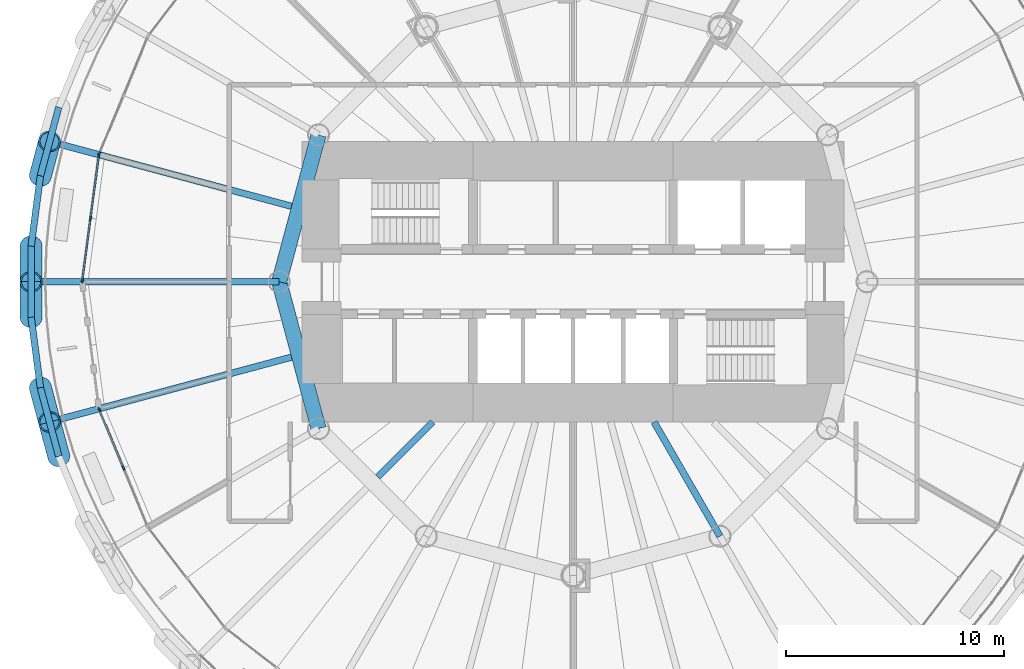
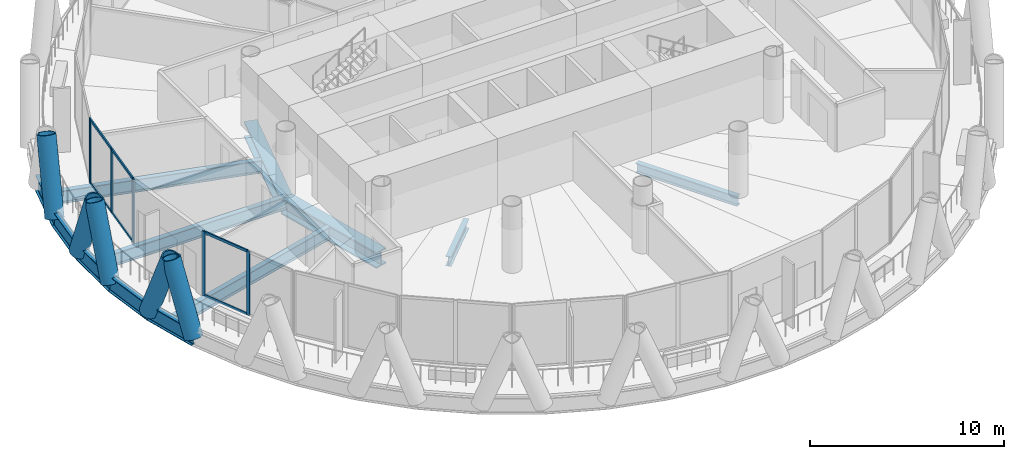
# One storey, part 3 of 16: 17 members, 12 beams, 3 elements without a shape of their own.
"""IFC4 building model written with IfcOpenShell, lengths in metres."""

from ifc_helpers import new_model, si_unit, direction, frame, origin, origin_2d, place, context, subcontext, project, spatial, rectangle, hollow_circle, i_section, extrude, material, material_profile, profile_set, type_object, element, aggregate, save


model = new_model("IFC4")

# Units and contexts
model_context = context("Model", 3, precision=1e-05, world=origin(), true_north=direction((0.0, 1.0)))
body_context = subcontext(model_context, "Body", "Model", "MODEL_VIEW")
ifc_project = project(units=[si_unit("LENGTHUNIT", "METRE"), si_unit("AREAUNIT", "SQUARE_METRE"), si_unit("VOLUMEUNIT", "CUBIC_METRE"), si_unit("PLANEANGLEUNIT", "RADIAN"), si_unit("MASSUNIT", "GRAM", prefix="KILO")], contexts=[model_context])

# Site, building, storey
site_placement = place(None, origin())
site = spatial("IfcSite", under=ifc_project, at=site_placement, CompositionType="ELEMENT")
building_placement = place(site_placement, origin())
building = spatial("IfcBuilding", under=site, at=building_placement, Name="Qaws Media Tower", CompositionType="ELEMENT")
storey_placement = place(building_placement, frame((0.0, 0.0, 139.39990234375)))
storey = spatial("IfcBuildingStorey", under=building, at=storey_placement, Name="L31", CompositionType="ELEMENT", Elevation=139.39990234375)

# Curtain wall, member
ifc_material_1 = material(Name="Aluminium and clear glass", Category="aluminium")
curtain_wall_type = type_object("IfcCurtainWallType", Name="Unitised curtain wall CW-B", PredefinedType="NOTDEFINED", material=ifc_material_1)
curtain_wall_1_placement = place(storey_placement, origin())
curtain_wall_1 = element("IfcCurtainWall", 1, at=curtain_wall_1_placement, inside=storey, type_object=curtain_wall_type, Name="CWB curtain wall L31-11", PredefinedType="NOTDEFINED")
ifc_material_2 = material(Name="Aluminium mullion", Category="aluminium")
ifc_material_profile_1 = material_profile(ifc_material_2, rectangle(XDim=0.080078125, YDim=0.199951171875, at=origin_2d()), Name="80x200")
ifc_profile_set_1 = profile_set([ifc_material_profile_1], Name="Aluminium mullion")
member_type_1 = type_object("IfcMemberType", Name="Curtain wall mullion 80x200", PredefinedType="MULLION", material=ifc_profile_set_1)
member_1_placement = place(storey_placement, frame((38.233642578125, 55.873291015625, 0.0), z_axis=(0.0, 0.0, 1.0), x_axis=(0.923879575812, -0.382683327828, 0.0)))
member_1 = element("IfcMember", 2, at=member_1_placement, type_object=member_type_1, Name="CWB mullion 3", PredefinedType="MULLION", context=body_context, shape_type="SweptSolid", body=[
    extrude(rectangle(XDim=0.080078125, YDim=0.199951171875, at=origin_2d()), origin(), (0.0, 0.0, 1.0), 4.0400390625),
])
aggregate(curtain_wall_1, [member_1])

# Curtain wall, members
curtain_wall_2_placement = place(storey_placement, origin())
curtain_wall_2 = element("IfcCurtainWall", 3, at=curtain_wall_2_placement, inside=storey, type_object=curtain_wall_type, Name="CWB curtain wall L31-12", PredefinedType="NOTDEFINED")
member_2_placement = place(storey_placement, frame((38.213134765625, 55.796630859375, 0.0), z_axis=(0.0, 0.0, 1.0), x_axis=(0.991444851608, -0.130526266402, 0.0)))
member_2 = element("IfcMember", 4, at=member_2_placement, type_object=member_type_1, Name="CWB mullion 1", PredefinedType="MULLION", context=body_context, shape_type="SweptSolid", body=[
    extrude(rectangle(XDim=0.080078125, YDim=0.199951171875, at=origin_2d()), origin(), (0.0, 0.0, 1.0), 4.0400390625),
])
member_3_placement = place(storey_placement, frame((37.834228515625, 52.918212890625, 0.0), z_axis=(0.0, 0.0, 1.0), x_axis=(0.991444851608, -0.130526266402, 0.0)))
member_3 = element("IfcMember", 5, at=member_3_placement, type_object=member_type_1, Name="CWB mullion 2", PredefinedType="MULLION", context=body_context, shape_type="SweptSolid", body=[
    extrude(rectangle(XDim=0.080078125, YDim=0.199951171875, at=origin_2d()), origin(), (0.0, 0.0, 1.0), 4.0400390625),
])
member_4_placement = place(storey_placement, frame((37.455322265625, 50.03955078125, 0.0), z_axis=(0.0, 0.0, 1.0), x_axis=(0.991444851608, -0.130526266402, 0.0)))
member_4 = element("IfcMember", 6, at=member_4_placement, type_object=member_type_1, Name="CWB mullion 3", PredefinedType="MULLION", context=body_context, shape_type="SweptSolid", body=[
    extrude(rectangle(XDim=0.080078125, YDim=0.199951171875, at=origin_2d()), origin(), (0.0, 0.0, 1.0), 4.0400390625),
])

curtain_wall_3_placement = place(storey_placement, origin())
curtain_wall_3 = element("IfcCurtainWall", 7, at=curtain_wall_3_placement, inside=storey, type_object=curtain_wall_type, Name="CWB curtain wall L31-14", PredefinedType="NOTDEFINED")
member_5_placement = place(storey_placement, frame((38.233642578125, 44.126708984375, 0.0), z_axis=(0.0, 0.0, 1.0), x_axis=(0.923879575812, 0.382683327828, 0.0)))
member_5 = element("IfcMember", 8, at=member_5_placement, type_object=member_type_1, Name="CWB mullion 1", PredefinedType="MULLION", context=body_context, shape_type="SweptSolid", body=[
    extrude(rectangle(XDim=0.080078125, YDim=0.199951171875, at=origin_2d()), origin(), (0.0, 0.0, 1.0), 4.0400390625),
])
member_6_placement = place(storey_placement, frame((39.3447265625, 41.4443359375, 0.0), z_axis=(0.0, 0.0, 1.0), x_axis=(0.923879575812, 0.382683327828, 0.0)))
member_6 = element("IfcMember", 9, at=member_6_placement, type_object=member_type_1, Name="CWB mullion 2", PredefinedType="MULLION", context=body_context, shape_type="SweptSolid", body=[
    extrude(rectangle(XDim=0.080078125, YDim=0.199951171875, at=origin_2d()), origin(), (0.0, 0.0, 1.0), 4.0400390625),
])

# Member
ifc_material_3 = material(Name="Aluminium transom", Category="aluminium")
ifc_material_profile_2 = material_profile(ifc_material_3, rectangle(XDim=0.080078125, YDim=0.159912109375, at=origin_2d()), Name="80x160")
ifc_profile_set_2 = profile_set([ifc_material_profile_2], Name="Aluminium transom")
member_type_2 = type_object("IfcMemberType", Name="Curtain wall transom 80x160", PredefinedType="USERDEFINED", material=ifc_profile_set_2)
member_7_placement = place(storey_placement, frame((38.2080078125, 55.757080078125, 0.0400390625), z_axis=(-0.130566348898, -0.991439573819, 0.0), x_axis=(0.991439573819, -0.130566348898, 0.0)))
member_7 = element("IfcMember", 10, at=member_7_placement, type_object=member_type_2, Name="CWB transom 1.1", ObjectType="TRANSOM", PredefinedType="USERDEFINED", context=body_context, shape_type="SweptSolid", body=[
    extrude(rectangle(XDim=0.080078125, YDim=0.159912109375, at=origin_2d()), origin(), (0.0, 0.0, 1.0), 2.823486328125),
])

member_8_placement = place(storey_placement, frame((38.2080078125, 55.757080078125, 4.0), z_axis=(-0.130566348898, -0.991439573819, 0.0), x_axis=(0.991439573819, -0.130566348898, 0.0)))
member_8 = element("IfcMember", 11, at=member_8_placement, type_object=member_type_2, Name="CWB transom 1.2", ObjectType="TRANSOM", PredefinedType="USERDEFINED", context=body_context, shape_type="SweptSolid", body=[
    extrude(rectangle(XDim=0.080078125, YDim=0.159912109375, at=origin_2d()), origin(), (0.0, 0.0, 1.0), 2.823486328125),
])

member_9_placement = place(storey_placement, frame((37.828857421875, 52.87841796875, 0.0400390625), z_axis=(-0.130492540798, -0.991449291087, 0.0), x_axis=(0.991449291087, -0.130492540798, 0.0)))
member_9 = element("IfcMember", 12, at=member_9_placement, type_object=member_type_2, Name="CWB transom 2.1", ObjectType="TRANSOM", PredefinedType="USERDEFINED", context=body_context, shape_type="SweptSolid", body=[
    extrude(rectangle(XDim=0.080078125, YDim=0.159912109375, at=origin_2d()), origin(), (0.0, 0.0, 1.0), 2.8232421875),
])

member_10_placement = place(storey_placement, frame((37.828857421875, 52.87841796875, 4.0), z_axis=(-0.130492540798, -0.991449291087, 0.0), x_axis=(0.991449291087, -0.130492540798, 0.0)))
member_10 = element("IfcMember", 13, at=member_10_placement, type_object=member_type_2, Name="CWB transom 2.2", ObjectType="TRANSOM", PredefinedType="USERDEFINED", context=body_context, shape_type="SweptSolid", body=[
    extrude(rectangle(XDim=0.080078125, YDim=0.159912109375, at=origin_2d()), origin(), (0.0, 0.0, 1.0), 2.8232421875),
])

aggregate(curtain_wall_2, [member_2, member_3, member_4, member_7, member_8, member_9, member_10])

member_11_placement = place(storey_placement, frame((38.2490234375, 44.089599609375, 0.0400390625), z_axis=(0.382649648969, -0.923893525329, 0.0), x_axis=(0.923893525329, 0.382649648969, 0.0)))
member_11 = element("IfcMember", 14, at=member_11_placement, type_object=member_type_2, Name="CWB transom 1.1", ObjectType="TRANSOM", PredefinedType="USERDEFINED", context=body_context, shape_type="SweptSolid", body=[
    extrude(rectangle(XDim=0.080078125, YDim=0.159912109375, at=origin_2d()), origin(), (0.0, 0.0, 1.0), 2.8232421875),
])

member_12_placement = place(storey_placement, frame((38.2490234375, 44.089599609375, 4.0), z_axis=(0.382649648969, -0.923893525329, 0.0), x_axis=(0.923893525329, 0.382649648969, 0.0)))
member_12 = element("IfcMember", 15, at=member_12_placement, type_object=member_type_2, Name="CWB transom 1.2", ObjectType="TRANSOM", PredefinedType="USERDEFINED", context=body_context, shape_type="SweptSolid", body=[
    extrude(rectangle(XDim=0.080078125, YDim=0.159912109375, at=origin_2d()), origin(), (0.0, 0.0, 1.0), 2.8232421875),
])

aggregate(curtain_wall_3, [member_5, member_6, member_11, member_12])

# Members
ifc_material_4 = material(Name="Steel S460", Category="steel")
ifc_material_profile_3 = material_profile(ifc_material_4, hollow_circle(Radius=0.508056640625, WallThickness=0.070068359375, at=origin_2d()), Name="CHS 1016x70")
ifc_profile_set_3 = profile_set([ifc_material_profile_3], Name="Steel S460")
member_type_3 = type_object("IfcMemberType", Name="Diagrid member CHS 1016x70", PredefinedType="USERDEFINED", material=ifc_profile_set_3)
for number, where, z_axis, x_axis, name in (
    (16, (35.103515625, 51.6318359375, -0.663818359375), (-0.000758566107, -0.3621611329, 0.932115195882), (0.999997806429, -0.002094549565, 0.0), "DG3 diagrid L31 A12"),
    (17, (35.529296875, 54.867431640625, -0.663818359375), (0.09303221804, 0.350022206489, 0.93211021954), (-0.966445675861, 0.256871087531, 0.0), "DG3 diagrid L31 B12"),
    (18, (35.529296875, 45.132568359375, -0.663818359375), (0.09303221804, -0.350022206489, 0.93211021954), (0.966445675861, 0.256871087531, 0.0), "DG3 diagrid L31 A13"),
    (19, (35.103515625, 48.3681640625, -0.663818359375), (-0.000758566107, 0.3621611329, 0.932115195882), (-0.999997806429, -0.002094549565, 0.0), "DG3 diagrid L31 B13"),
    (20, (36.3740234375, 41.97998046875, -0.663818359375), (-0.094441035897, 0.349643146667, 0.932110809254), (-0.965403100068, -0.260762064686, 0.0), "DG3 diagrid L31 B14"),
):
    element("IfcMember", number, at=place(storey_placement, frame(where, z_axis=z_axis, x_axis=x_axis)), inside=storey, type_object=member_type_3, Name=name, ObjectType="DIAGRID", PredefinedType="USERDEFINED", context=body_context, shape_type="SweptSolid", body=[
        extrude(hollow_circle(Radius=0.508056640625, WallThickness=0.070068359375, at=origin_2d()), origin(), (0.0, 0.0, 1.0), 4.505859375),
    ])

# Beams
ifc_material_5 = material(Name="Steel S460", Category="steel")
ifc_material_profile_4 = material_profile(ifc_material_5, i_section(OverallWidth=0.302001953125, OverallDepth=1.008056640625, WebThickness=0.02099609375, FlangeThickness=0.0400390625, FilletRadius=0.030029296875, at=origin_2d()), Name="HE 1000 M")
ifc_profile_set_4 = profile_set([ifc_material_profile_4], Name="Steel S460")
beam_type_1 = type_object("IfcBeamType", Name="Edge ring beam HE 1000 M", PredefinedType="BEAM", material=ifc_profile_set_4)
beam_1_placement = place(storey_placement, frame((36.3740234375, 58.02001953125, -0.663818359375), z_axis=(-0.258817096385, -0.965926348444, 0.0), x_axis=(0.965926348444, -0.258817096385, 0.0)))
element("IfcBeam", 21, at=beam_1_placement, inside=storey, type_object=beam_type_1, Name="RB3 edge ring beam L31-22", PredefinedType="BEAM", context=body_context, shape_type="SweptSolid", body=[
    extrude(i_section(OverallWidth=0.302001953125, OverallDepth=1.008056640625, WebThickness=0.02099609375, FlangeThickness=0.0400390625, FilletRadius=0.030029296875, at=origin_2d()), origin(), (0.0, 0.0, 1.0), 3.263916015625),
])
beam_2_placement = place(storey_placement, frame((35.529296875, 54.867431640625, -0.663818359375), z_axis=(-0.130468058762, -0.991452513055, 0.0), x_axis=(0.991452513055, -0.130468058762, 0.0)))
element("IfcBeam", 22, at=beam_2_placement, inside=storey, type_object=beam_type_1, Name="RB3 edge ring beam L31-23", PredefinedType="BEAM", context=body_context, shape_type="SweptSolid", body=[
    extrude(i_section(OverallWidth=0.302001953125, OverallDepth=1.008056640625, WebThickness=0.02099609375, FlangeThickness=0.0400390625, FilletRadius=0.030029296875, at=origin_2d()), origin(), (0.0, 0.0, 1.0), 3.263427734375),
])
beam_3_placement = place(storey_placement, frame((35.103515625, 51.6318359375, -0.663818359375), z_axis=(0.0, -1.0, 0.0), x_axis=(1.0, 0.0, 0.0)))
element("IfcBeam", 23, at=beam_3_placement, inside=storey, type_object=beam_type_1, Name="RB3 edge ring beam L31-24", PredefinedType="BEAM", context=body_context, shape_type="SweptSolid", body=[
    extrude(i_section(OverallWidth=0.302001953125, OverallDepth=1.008056640625, WebThickness=0.02099609375, FlangeThickness=0.0400390625, FilletRadius=0.030029296875, at=origin_2d()), origin(), (0.0, 0.0, 1.0), 3.263671875),
])
beam_4_placement = place(storey_placement, frame((35.103515625, 48.3681640625, -0.663818359375), z_axis=(0.130468058762, -0.991452513055, 0.0), x_axis=(0.991452513055, 0.130468058762, 0.0)))
element("IfcBeam", 24, at=beam_4_placement, inside=storey, type_object=beam_type_1, Name="RB3 edge ring beam L31-25", PredefinedType="BEAM", context=body_context, shape_type="SweptSolid", body=[
    extrude(i_section(OverallWidth=0.302001953125, OverallDepth=1.008056640625, WebThickness=0.02099609375, FlangeThickness=0.0400390625, FilletRadius=0.030029296875, at=origin_2d()), origin(), (0.0, 0.0, 1.0), 3.263427734375),
])
beam_5_placement = place(storey_placement, frame((35.529296875, 45.132568359375, -0.663818359375), z_axis=(0.258817096385, -0.965926348444, 0.0), x_axis=(0.965926348444, 0.258817096385, 0.0)))
element("IfcBeam", 25, at=beam_5_placement, inside=storey, type_object=beam_type_1, Name="RB3 edge ring beam L31-26", PredefinedType="BEAM", context=body_context, shape_type="SweptSolid", body=[
    extrude(i_section(OverallWidth=0.302001953125, OverallDepth=1.008056640625, WebThickness=0.02099609375, FlangeThickness=0.0400390625, FilletRadius=0.030029296875, at=origin_2d()), origin(), (0.0, 0.0, 1.0), 3.263916015625),
])
ifc_material_6 = material(Name="Steel S460", Category="steel")
ifc_material_profile_5 = material_profile(ifc_material_6, i_section(OverallWidth=0.699951171875, OverallDepth=1.0, WebThickness=0.034912109375, FlangeThickness=0.090087890625, at=origin_2d()), Name="PG 1000x700")
ifc_profile_set_5 = profile_set([ifc_material_profile_5], Name="Steel S460")
beam_type_2 = type_object("IfcBeamType", Name="Inner ring girder PG 1000x700", PredefinedType="BEAM", material=ifc_profile_set_5)
for number, where, z_axis, x_axis, name in (
    (26, (48.30859375, 56.75, -0.659912109375), (-0.258810593767, -0.965928090778, 0.0), (0.965928090778, -0.258810593767, 0.0), "B3 inner ring beam L31 I06-I07"),
    (27, (46.5, 50.0, -0.659912109375), (0.258810593767, -0.965928090778, 0.0), (0.965928090778, 0.258810593767, 0.0), "B3 inner ring beam L31 I07-I08"),
):
    element("IfcBeam", number, at=place(storey_placement, frame(where, z_axis=z_axis, x_axis=x_axis)), inside=storey, type_object=beam_type_2, Name=name, PredefinedType="BEAM", context=body_context, shape_type="SweptSolid", body=[
        extrude(i_section(OverallWidth=0.699951171875, OverallDepth=1.0, WebThickness=0.034912109375, FlangeThickness=0.090087890625, at=origin_2d()), origin(), (0.0, 0.0, 1.0), 6.988037109375),
    ])
ifc_material_7 = material(Name="Steel S355", Category="steel")
ifc_material_profile_6 = material_profile(ifc_material_7, i_section(OverallWidth=0.304931640625, OverallDepth=0.6201171875, WebThickness=0.02099609375, FlangeThickness=0.0400390625, FilletRadius=0.027099609375, at=origin_2d()), Name="HE 600 M")
ifc_profile_set_6 = profile_set([ifc_material_profile_6], Name="Steel S355")
beam_type_3 = type_object("IfcBeamType", Name="Radial beam HE 600 M, core side", PredefinedType="BEAM", material=ifc_profile_set_6)
beam_6_placement = place(storey_placement, frame((53.550048828125, 43.550048828125, -0.469970703125), z_axis=(-0.707106781187, -0.707106781187, 0.0), x_axis=(0.707106781187, -0.707106781187, 0.0)))
element("IfcBeam", 28, at=beam_6_placement, inside=storey, type_object=beam_type_3, Name="B2 radial beam L31 16", PredefinedType="BEAM", context=body_context, shape_type="SweptSolid", body=[
    extrude(i_section(OverallWidth=0.304931640625, OverallDepth=0.6201171875, WebThickness=0.02099609375, FlangeThickness=0.0400390625, FilletRadius=0.027099609375, at=origin_2d()), origin(), (0.0, 0.0, 1.0), 3.568359375),
])
beam_7_placement = place(storey_placement, frame((63.723876953125, 43.550048828125, -0.469970703125), z_axis=(0.499995978368, -0.866027725662, 0.0), x_axis=(0.866027725662, 0.499995978368, 0.0)))
element("IfcBeam", 29, at=beam_7_placement, inside=storey, type_object=beam_type_3, Name="B2 radial beam L31 21", PredefinedType="BEAM", context=body_context, shape_type="SweptSolid", body=[
    extrude(i_section(OverallWidth=0.304931640625, OverallDepth=0.6201171875, WebThickness=0.02099609375, FlangeThickness=0.0400390625, FilletRadius=0.027099609375, at=origin_2d()), origin(), (0.0, 0.0, 1.0), 6.05224609375),
])
ifc_material_8 = material(Name="Steel S355", Category="steel")
ifc_material_profile_7 = material_profile(ifc_material_8, i_section(OverallWidth=0.300048828125, OverallDepth=0.800048828125, WebThickness=0.017578125, FlangeThickness=0.032958984375, FilletRadius=0.030029296875, at=origin_2d()), Name="HE 800 B")
ifc_profile_set_7 = profile_set([ifc_material_profile_7], Name="Steel S355")
beam_type_4 = type_object("IfcBeamType", Name="Radial beam HE 800 B", PredefinedType="BEAM", material=ifc_profile_set_7)
beam_8_placement = place(storey_placement, frame((47.066162109375, 53.465576171875, -0.559814453125), z_axis=(-0.965927878977, 0.258811384245, 0.0), x_axis=(-0.258811384245, -0.965927878977, 0.0)))
element("IfcBeam", 30, at=beam_8_placement, inside=storey, type_object=beam_type_4, Name="B1 radial beam L31 12", PredefinedType="BEAM", context=body_context, shape_type="SweptSolid", body=[
    extrude(i_section(OverallWidth=0.300048828125, OverallDepth=0.800048828125, WebThickness=0.017578125, FlangeThickness=0.032958984375, FilletRadius=0.030029296875, at=origin_2d()), origin(), (0.0, 0.0, 1.0), 11.506591796875),
])
beam_9_placement = place(storey_placement, frame((46.5, 50.0, -0.559814453125), z_axis=(-1.0, 0.0, 0.0), x_axis=(0.0, -1.0, 0.0)))
element("IfcBeam", 31, at=beam_9_placement, inside=storey, type_object=beam_type_4, Name="B1 radial beam L31 13", PredefinedType="BEAM", context=body_context, shape_type="SweptSolid", body=[
    extrude(i_section(OverallWidth=0.300048828125, OverallDepth=0.800048828125, WebThickness=0.017578125, FlangeThickness=0.032958984375, FilletRadius=0.030029296875, at=origin_2d()), origin(), (0.0, 0.0, 1.0), 11.396484375),
])
beam_10_placement = place(storey_placement, frame((47.066162109375, 46.534423828125, -0.559814453125), z_axis=(-0.965927878977, -0.258811384245, 0.0), x_axis=(0.258811384245, -0.965927878977, 0.0)))
element("IfcBeam", 32, at=beam_10_placement, inside=storey, type_object=beam_type_4, Name="B1 radial beam L31 14", PredefinedType="BEAM", context=body_context, shape_type="SweptSolid", body=[
    extrude(i_section(OverallWidth=0.300048828125, OverallDepth=0.800048828125, WebThickness=0.017578125, FlangeThickness=0.032958984375, FilletRadius=0.030029296875, at=origin_2d()), origin(), (0.0, 0.0, 1.0), 11.506591796875),
])

save(model, "model.ifc")
